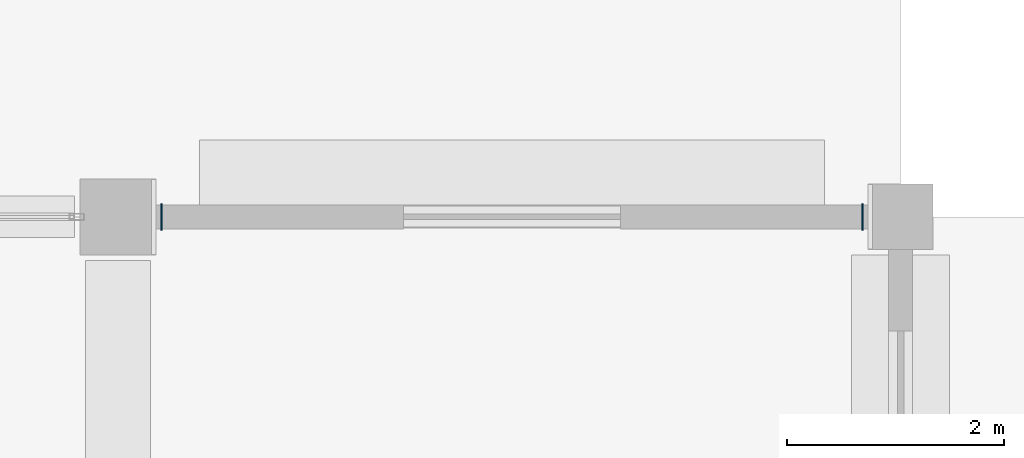
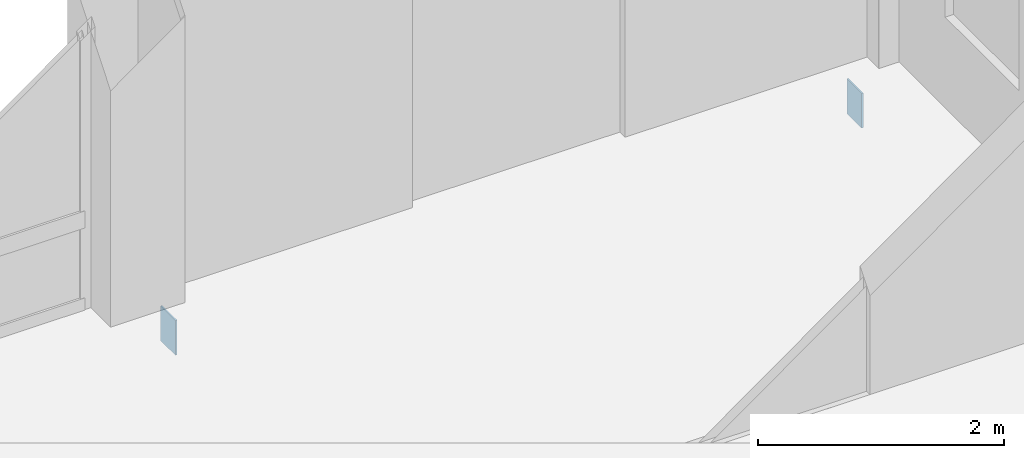
# One storey, part 187 of 229: 2 plates.
"""IFC4 building model written with IfcOpenShell, lengths in metres."""

from ifc_helpers import new_model, si_unit, direction, frame, origin, origin_2d, place, context, subcontext, project, spatial, rectangle, extrude, material, layer, layer_set, type_object, element, save


model = new_model("IFC4")

# Units and contexts
model_context = context("Model", 3, precision=1e-05, world=origin(), true_north=direction((0.0, 1.0)))
body_context = subcontext(model_context, "Body", "Model", "MODEL_VIEW")
ifc_project = project(units=[si_unit("LENGTHUNIT", "METRE"), si_unit("AREAUNIT", "SQUARE_METRE"), si_unit("VOLUMEUNIT", "CUBIC_METRE"), si_unit("PLANEANGLEUNIT", "RADIAN"), si_unit("MASSUNIT", "GRAM", prefix="KILO")], contexts=[model_context])

# Site, building, storey
site_placement = place(None, origin())
site = spatial("IfcSite", under=ifc_project, at=site_placement, CompositionType="ELEMENT")
building_placement = place(site_placement, origin())
building = spatial("IfcBuilding", under=site, at=building_placement, Name="Calvrana Isthmian Art Gallery", CompositionType="ELEMENT")
storey_placement = place(building_placement, origin())
storey = spatial("IfcBuildingStorey", under=building, at=storey_placement, Name="L00", CompositionType="ELEMENT", Elevation=0.0)

# Plates
ifc_material = material(Name="Steel ASTM A572 Gr 50", Category="steel")
ifc_layer = layer(ifc_material, 0.01611328125, Name="Steel ASTM A572 Gr 50")
ifc_layer_set = layer_set([ifc_layer], Name="Steel ASTM A572 Gr 50")
plate_type = type_object("IfcPlateType", Name="PL-CAP-16", PredefinedType="SHEET", material=ifc_layer_set)
for number, where, z_axis, x_axis, name in (
    (1, (156.39990234375, 112.800048828125, -0.6796875), (0.0, 0.0, 1.0), (1.0, 0.0, 0.0), "Hollow section end cap plate 405"),
    (2, (162.85009765625, 112.800048828125, -0.6796875), (0.0, 0.0, 1.0), (1.0, 0.0, 0.0), "Hollow section end cap plate 406"),
):
    element("IfcPlate", number, at=place(storey_placement, frame(where, z_axis=z_axis, x_axis=x_axis)), inside=storey, type_object=plate_type, Name=name, PredefinedType="SHEET", context=body_context, shape_type="SweptSolid", body=[
        extrude(rectangle(XDim=0.01611328125, YDim=0.2431640625, at=origin_2d()), origin(), (0.0, 0.0, 1.0), 0.3447265625),
    ])

save(model, "model.ifc")
